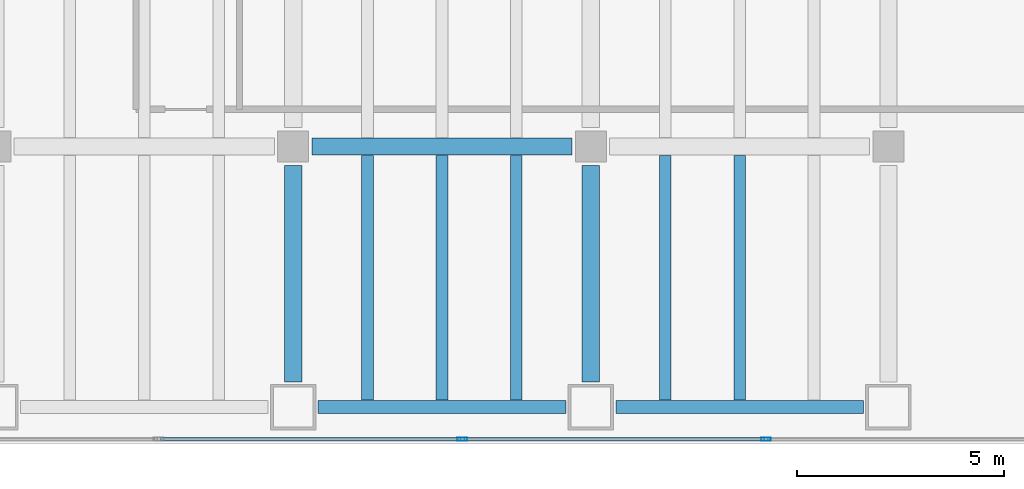
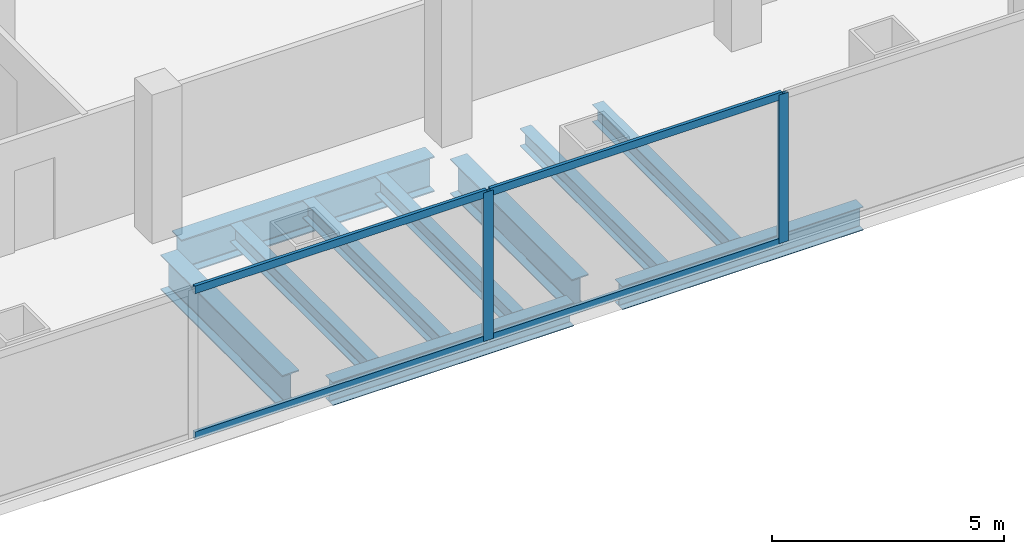
# One storey, part 16 of 28: 10 beams, 6 members, 1 element without a shape of its own.
"""IFC4 building model written with IfcOpenShell, lengths in metres."""

from ifc_helpers import new_model, si_unit, direction, frame, origin, origin_2d, place, context, subcontext, project, spatial, hollow_rectangle, i_section, extrude, material, material_profile, profile_set, type_object, element, aggregate, save


model = new_model("IFC4")

# Units and contexts
model_context = context("Model", 3, precision=1e-05, world=origin(), true_north=direction((0.0, 1.0)))
body_context = subcontext(model_context, "Body", "Model", "MODEL_VIEW")
ifc_project = project(units=[si_unit("LENGTHUNIT", "METRE"), si_unit("AREAUNIT", "SQUARE_METRE"), si_unit("VOLUMEUNIT", "CUBIC_METRE"), si_unit("PLANEANGLEUNIT", "RADIAN"), si_unit("MASSUNIT", "GRAM", prefix="KILO")], contexts=[model_context])

# Site, building, storey
site_placement = place(None, origin())
site = spatial("IfcSite", under=ifc_project, at=site_placement, CompositionType="ELEMENT")
building_placement = place(site_placement, origin())
building = spatial("IfcBuilding", under=site, at=building_placement, Name="Cobrela Telecom Tower", CompositionType="ELEMENT")
storey_placement = place(building_placement, frame((0.0, 0.0, 17.85009765625)))
storey = spatial("IfcBuildingStorey", under=building, at=storey_placement, Name="L04", CompositionType="ELEMENT", Elevation=17.85009765625)

# Beams
ifc_material_1 = material(Name="Steel ASTM A992 Grade 50", Category="steel")
ifc_material_profile_1 = material_profile(ifc_material_1, i_section(OverallWidth=0.4189453125, OverallDepth=0.927001953125, WebThickness=0.019287109375, FlangeThickness=0.031982421875, FilletRadius=0.02392578125, at=origin_2d()), Name="W36X231")
ifc_profile_set_1 = profile_set([ifc_material_profile_1], Name="Steel ASTM A992 Grade 50")
beam_type_1 = type_object("IfcBeamType", Name="BM-GIRD-02", PredefinedType="USERDEFINED", material=ifc_profile_set_1)
beam_placement = place(storey_placement, frame((65.2548828125, 7.199951171875, -0.753662109375), z_axis=(1.0, 0.0, 0.0), x_axis=(0.0, 1.0, 0.0)))
element("IfcBeam", 1, at=beam_placement, inside=storey, type_object=beam_type_1, Name="L04 Primary Girder X18", ObjectType="GIRDER", PredefinedType="USERDEFINED", context=body_context, shape_type="SweptSolid", body=[
    extrude(i_section(OverallWidth=0.4189453125, OverallDepth=0.927001953125, WebThickness=0.019287109375, FlangeThickness=0.031982421875, FilletRadius=0.02392578125, at=origin_2d()), origin(), (0.0, 0.0, 1.0), 6.2900390625),
])
for number, where, z_axis, x_axis, name in (
    (2, (64.800048828125, 1.5048828125, -0.753662109375), (0.0, 1.0, 0.0), (-1.0, 0.0, 0.0), "L04 Primary Girder Y91"),
    (3, (72.0, 1.5048828125, -0.753662109375), (0.0, 1.0, 0.0), (-1.0, 0.0, 0.0), "L04 Primary Girder Y94"),
):
    element("IfcBeam", number, at=place(storey_placement, frame(where, z_axis=z_axis, x_axis=x_axis)), inside=storey, type_object=beam_type_1, Name=name, ObjectType="GIRDER", PredefinedType="USERDEFINED", context=body_context, shape_type="SweptSolid", body=[
        extrude(i_section(OverallWidth=0.4189453125, OverallDepth=0.927001953125, WebThickness=0.019287109375, FlangeThickness=0.031982421875, FilletRadius=0.02392578125, at=origin_2d()), origin(), (0.0, 0.0, 1.0), 5.240234375),
    ])
ifc_material_profile_2 = material_profile(ifc_material_1, i_section(OverallWidth=0.281982421875, OverallDepth=0.467041015625, WebThickness=0.01220703125, FlangeThickness=0.01953125, FilletRadius=0.012939453125, at=origin_2d()), Name="W18X86")
ifc_profile_set_2 = profile_set([ifc_material_profile_2], Name="Steel ASTM A992 Grade 50")
beam_type_2 = type_object("IfcBeamType", Name="BM-JOIST-02", PredefinedType="JOIST", material=ifc_profile_set_2)
for number, where, z_axis, x_axis, name in (
    (4, (66.60009765625, 1.0673828125, -0.523681640625), (0.0, 1.0, 0.0), (-1.0, 0.0, 0.0), "L04 Secondary Composite Floor Beam J118"),
    (5, (68.39990234375, 1.0673828125, -0.523681640625), (0.0, 1.0, 0.0), (-1.0, 0.0, 0.0), "L04 Secondary Composite Floor Beam J121"),
    (6, (70.199951171875, 1.0673828125, -0.523681640625), (0.0, 1.0, 0.0), (-1.0, 0.0, 0.0), "L04 Secondary Composite Floor Beam J124"),
    (7, (73.800048828125, 1.0673828125, -0.523681640625), (0.0, 1.0, 0.0), (-1.0, 0.0, 0.0), "L04 Secondary Composite Floor Beam J127"),
    (8, (75.60009765625, 1.0673828125, -0.523681640625), (0.0, 1.0, 0.0), (-1.0, 0.0, 0.0), "L04 Secondary Composite Floor Beam J130"),
):
    element("IfcBeam", number, at=place(storey_placement, frame(where, z_axis=z_axis, x_axis=x_axis)), inside=storey, type_object=beam_type_2, Name=name, PredefinedType="JOIST", context=body_context, shape_type="SweptSolid", body=[
        extrude(i_section(OverallWidth=0.281982421875, OverallDepth=0.467041015625, WebThickness=0.01220703125, FlangeThickness=0.01953125, FilletRadius=0.012939453125, at=origin_2d()), origin(), (0.0, 0.0, 1.0), 5.918212890625),
    ])
ifc_material_profile_3 = material_profile(ifc_material_1, i_section(OverallWidth=0.324951171875, OverallDepth=0.612060546875, WebThickness=0.0126953125, FlangeThickness=0.01904296875, FilletRadius=0.014892578125, at=origin_2d()), Name="W24X104")
ifc_profile_set_3 = profile_set([ifc_material_profile_3], Name="Steel ASTM A992 Grade 50")
beam_type_3 = type_object("IfcBeamType", Name="BM-SPAND-02", PredefinedType="SPANDREL", material=ifc_profile_set_3)
for number, where, z_axis, x_axis, name in (
    (9, (65.405029296875, 0.89990234375, -0.59619140625), (1.0, 0.0, 0.0), (0.0, 1.0, 0.0), "L04 Perimeter Spandrel X08"),
    (10, (72.60498046875, 0.89990234375, -0.59619140625), (1.0, 0.0, 0.0), (0.0, 1.0, 0.0), "L04 Perimeter Spandrel X09"),
):
    element("IfcBeam", number, at=place(storey_placement, frame(where, z_axis=z_axis, x_axis=x_axis)), inside=storey, type_object=beam_type_3, Name=name, PredefinedType="SPANDREL", context=body_context, shape_type="SweptSolid", body=[
        extrude(i_section(OverallWidth=0.324951171875, OverallDepth=0.612060546875, WebThickness=0.0126953125, FlangeThickness=0.01904296875, FilletRadius=0.014892578125, at=origin_2d()), origin(), (0.0, 0.0, 1.0), 5.989990234375),
    ])

# Curtain wall, members
ifc_material_2 = material(Name="Anodized Bronze Aluminium 6063-T6", Category="aluminium")
curtain_wall_type = type_object("IfcCurtainWallType", Name="CW-SYS-CONC", PredefinedType="USERDEFINED", material=ifc_material_2)
curtain_wall_placement = place(storey_placement, origin())
curtain_wall = element("IfcCurtainWall", 11, at=curtain_wall_placement, inside=storey, type_object=curtain_wall_type, Name="L04 Unitised Bronze Curtain Wall 17", ObjectType="UNITISED CURTAIN WALL", PredefinedType="USERDEFINED")
ifc_material_profile_4 = material_profile(ifc_material_2, hollow_rectangle(XDim=0.080078125, YDim=0.239990234375, WallThickness=0.0048828125, at=origin_2d()), Name="ALU 80x240x5")
ifc_profile_set_4 = profile_set([ifc_material_profile_4], Name="Anodized Bronze Aluminium 6063-T6")
member_type_1 = type_object("IfcMemberType", Name="CW-SYS-CONC-MUL", PredefinedType="MULLION", material=ifc_profile_set_4)
member_1_placement = place(storey_placement, frame((76.23828125, 0.1201171875, 0.0), z_axis=(0.0, 0.0, 1.0), x_axis=(0.0, -1.0, 0.0)))
member_1 = element("IfcMember", 12, at=member_1_placement, type_object=member_type_1, Name="CW-CONC mullion 2", PredefinedType="MULLION", context=body_context, shape_type="SweptSolid", body=[
    extrude(hollow_rectangle(XDim=0.080078125, YDim=0.239990234375, WallThickness=0.0048828125, at=origin_2d()), origin(), (0.0, 0.0, 1.0), 3.909912109375),
])
member_2_placement = place(storey_placement, frame((68.896484375, 0.1201171875, 0.0), z_axis=(0.0, 0.0, 1.0), x_axis=(0.0, -1.0, 0.0)))
member_2 = element("IfcMember", 13, at=member_2_placement, type_object=member_type_1, Name="CW-CONC mullion 3", PredefinedType="MULLION", context=body_context, shape_type="SweptSolid", body=[
    extrude(hollow_rectangle(XDim=0.080078125, YDim=0.239990234375, WallThickness=0.0048828125, at=origin_2d()), origin(), (0.0, 0.0, 1.0), 3.909912109375),
])
ifc_material_profile_5 = material_profile(ifc_material_2, hollow_rectangle(XDim=0.080078125, YDim=0.199951171875, WallThickness=0.00390625, at=origin_2d()), Name="ALU 80x200x4")
ifc_profile_set_5 = profile_set([ifc_material_profile_5], Name="Anodized Bronze Aluminium 6063-T6")
member_type_2 = type_object("IfcMemberType", Name="CW-SYS-CONC-TRN", PredefinedType="USERDEFINED", material=ifc_profile_set_5)
member_3_placement = place(storey_placement, frame((76.1982421875, 0.1201171875, 0.039794921875), z_axis=(-1.0, 0.0, 0.0), x_axis=(0.0, -1.0, 0.0)))
member_3 = element("IfcMember", 14, at=member_3_placement, type_object=member_type_2, Name="CW-CONC transom 2.1", ObjectType="TRANSOM", PredefinedType="USERDEFINED", context=body_context, shape_type="SweptSolid", body=[
    extrude(hollow_rectangle(XDim=0.080078125, YDim=0.199951171875, WallThickness=0.00390625, at=origin_2d()), origin(), (0.0, 0.0, 1.0), 7.261962890625),
])
member_4_placement = place(storey_placement, frame((76.1982421875, 0.1201171875, 3.869873046875), z_axis=(-1.0, 0.0, 0.0), x_axis=(0.0, -1.0, 0.0)))
member_4 = element("IfcMember", 15, at=member_4_placement, type_object=member_type_2, Name="CW-CONC transom 2.2", ObjectType="TRANSOM", PredefinedType="USERDEFINED", context=body_context, shape_type="SweptSolid", body=[
    extrude(hollow_rectangle(XDim=0.080078125, YDim=0.199951171875, WallThickness=0.00390625, at=origin_2d()), origin(), (0.0, 0.0, 1.0), 7.261962890625),
])
member_5_placement = place(storey_placement, frame((68.8564453125, 0.1201171875, 0.039794921875), z_axis=(-1.0, 0.0, 0.0), x_axis=(0.0, -1.0, 0.0)))
member_5 = element("IfcMember", 16, at=member_5_placement, type_object=member_type_2, Name="CW-CONC transom 3.1", ObjectType="TRANSOM", PredefinedType="USERDEFINED", context=body_context, shape_type="SweptSolid", body=[
    extrude(hollow_rectangle(XDim=0.080078125, YDim=0.199951171875, WallThickness=0.00390625, at=origin_2d()), origin(), (0.0, 0.0, 1.0), 7.261962890625),
])
member_6_placement = place(storey_placement, frame((68.8564453125, 0.1201171875, 3.869873046875), z_axis=(-1.0, 0.0, 0.0), x_axis=(0.0, -1.0, 0.0)))
member_6 = element("IfcMember", 17, at=member_6_placement, type_object=member_type_2, Name="CW-CONC transom 3.2", ObjectType="TRANSOM", PredefinedType="USERDEFINED", context=body_context, shape_type="SweptSolid", body=[
    extrude(hollow_rectangle(XDim=0.080078125, YDim=0.199951171875, WallThickness=0.00390625, at=origin_2d()), origin(), (0.0, 0.0, 1.0), 7.261962890625),
])
aggregate(curtain_wall, [member_1, member_2, member_3, member_4, member_5, member_6])

save(model, "model.ifc")
